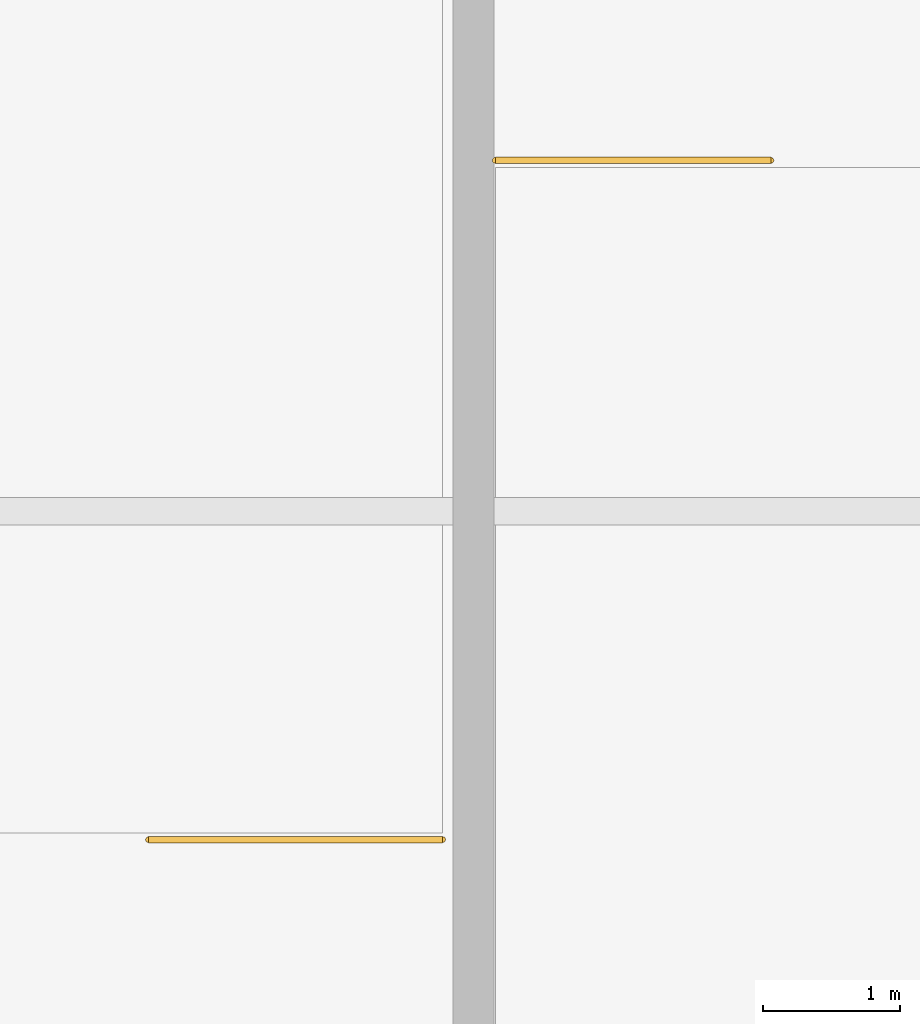
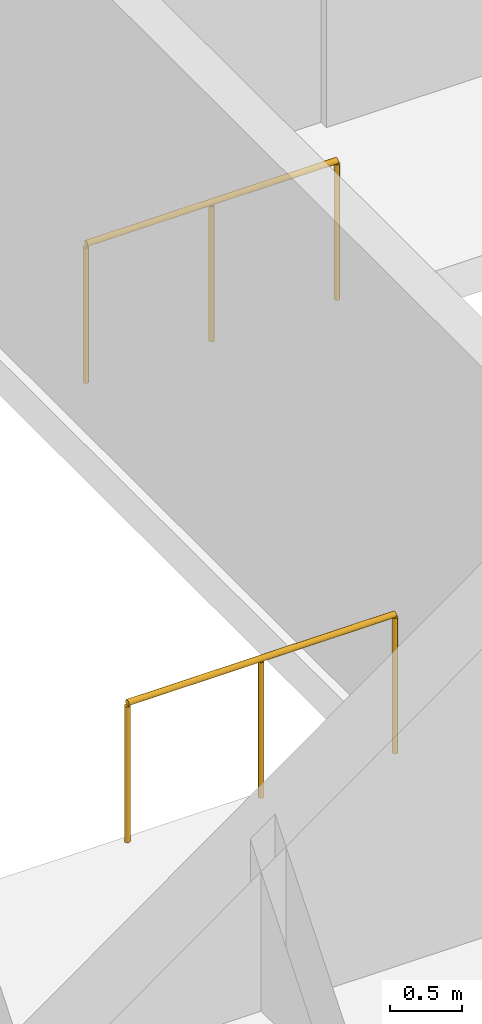
# One storey, part 4 of 4: 2 railings.
"""IFC4 building model written with IfcOpenShell, lengths in metres."""

from ifc_helpers import new_model, si_unit, direction, frame, origin, origin_2d, place, context, subcontext, project, spatial, circle, extrude, material, type_object, element, save


model = new_model("IFC4")

# Units and contexts
model_context = context("Model", 3, precision=1e-05, world=origin(), true_north=direction((0.0, 1.0)))
body_context = subcontext(model_context, "Body", "Model", "MODEL_VIEW")
ifc_project = project(units=[si_unit("LENGTHUNIT", "METRE"), si_unit("AREAUNIT", "SQUARE_METRE"), si_unit("VOLUMEUNIT", "CUBIC_METRE"), si_unit("PLANEANGLEUNIT", "RADIAN"), si_unit("MASSUNIT", "GRAM", prefix="KILO")], contexts=[model_context])

# Site, building, storey
site_placement = place(None, origin())
site = spatial("IfcSite", under=ifc_project, at=site_placement, CompositionType="ELEMENT")
building_placement = place(site_placement, origin())
building = spatial("IfcBuilding", under=site, at=building_placement, Name="Caravel Reach Hotel and Residences", CompositionType="ELEMENT")
storey_placement = place(building_placement, frame((0.0, 0.0, 329.60009765625)))
storey = spatial("IfcBuildingStorey", under=building, at=storey_placement, Name="L83", CompositionType="ELEMENT", Elevation=329.60009765625)

# Railings
ifc_material = material(Name="Steel balustrade with glass infill", Category="steel")
railing_type = type_object("IfcRailingType", Name="Guard 1200", PredefinedType="GUARDRAIL", material=ifc_material)
railing_1_placement = place(storey_placement, frame((44.77490234375, 24.60009765625, 0.0)))
element("IfcRailing", 1, at=railing_1_placement, inside=storey, type_object=railing_type, Name="L83 ST-B top well guard 1", PredefinedType="GUARDRAIL", context=body_context, shape_type="SweptSolid", body=[
    extrude(circle(Radius=0.02392578125, at=origin_2d()), frame((0.0, 0.0, 1.17578125), z_axis=(-1.0, 0.0, 0.0), x_axis=(0.0, -1.0, 0.0)), (0.0, 0.0, 1.0), 2.14990234375),
    extrude(circle(Radius=0.02099609375, at=origin_2d()), origin(), (0.0, 0.0, 1.0), 1.15185546875),
    extrude(circle(Radius=0.02099609375, at=origin_2d()), frame((-1.074951171875, 0.0, 0.0)), (0.0, 0.0, 1.0), 1.15185546875),
    extrude(circle(Radius=0.02099609375, at=origin_2d()), frame((-2.14990234375, 0.0, 0.0)), (0.0, 0.0, 1.0), 1.15185546875),
])
railing_2_placement = place(storey_placement, frame((45.159912109375, 29.56494140625, 0.0)))
element("IfcRailing", 2, at=railing_2_placement, inside=storey, type_object=railing_type, Name="L83 ST-C top well guard 1", PredefinedType="GUARDRAIL", context=body_context, shape_type="SweptSolid", body=[
    extrude(circle(Radius=0.02392578125, at=origin_2d()), frame((0.0, 0.0, 1.17578125), z_axis=(1.0, 0.0, 0.0), x_axis=(0.0, 1.0, 0.0)), (0.0, 0.0, 1.0), 2.01513671875),
    extrude(circle(Radius=0.02099609375, at=origin_2d()), origin(), (0.0, 0.0, 1.0), 1.15185546875),
    extrude(circle(Radius=0.02099609375, at=origin_2d()), frame((1.007568359375, 0.0, 0.0)), (0.0, 0.0, 1.0), 1.15185546875),
    extrude(circle(Radius=0.02099609375, at=origin_2d()), frame((2.01513671875, 0.0, 0.0)), (0.0, 0.0, 1.0), 1.15185546875),
])

save(model, "model.ifc")
